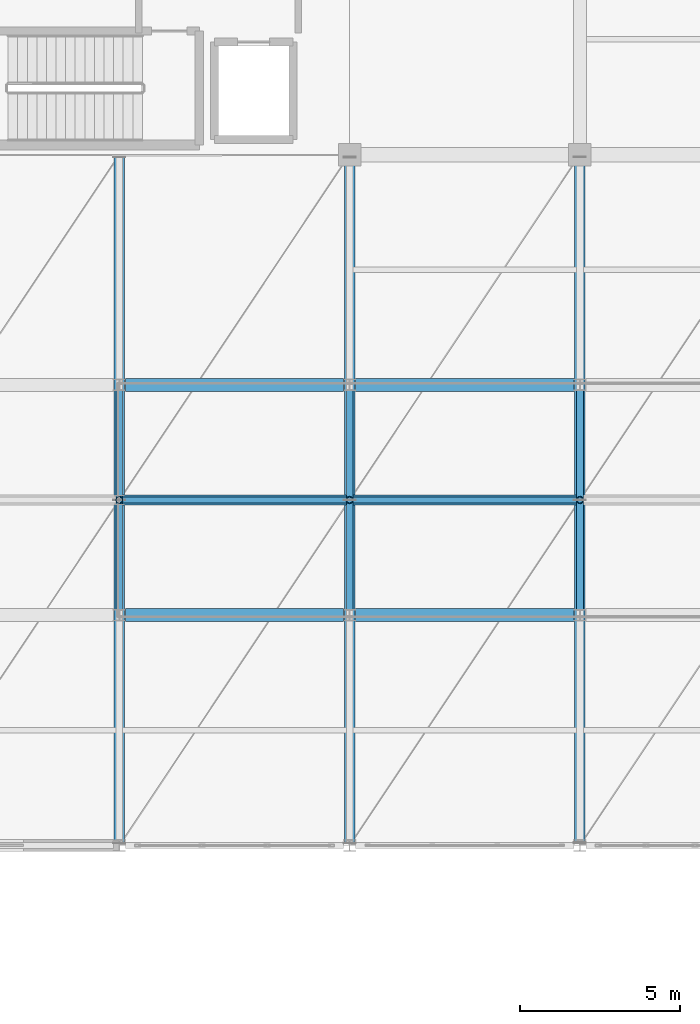
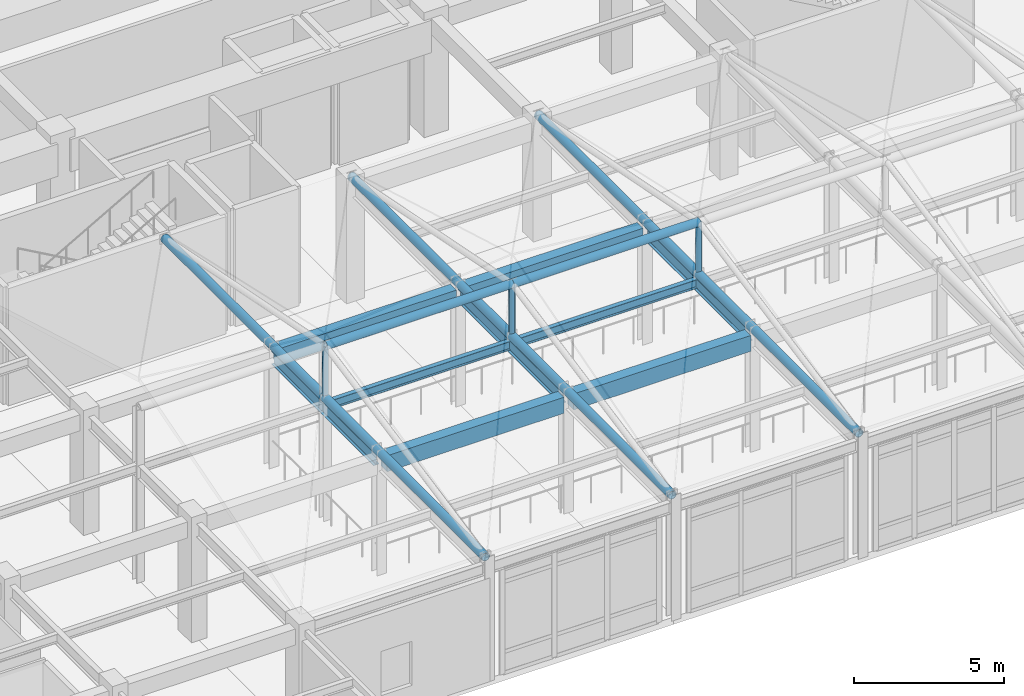
# One storey, part 37 of 117: 9 beams, 8 members.
"""IFC4 building model written with IfcOpenShell, lengths in metres."""

from ifc_helpers import new_model, si_unit, direction, frame, origin, origin_2d, place, context, subcontext, project, spatial, rectangle, hollow_circle, i_section, extrude, material, material_profile, profile_set, type_object, element, save


model = new_model("IFC4")

# Units and contexts
model_context = context("Model", 3, precision=1e-05, world=origin(), true_north=direction((0.0, 1.0)))
body_context = subcontext(model_context, "Body", "Model", "MODEL_VIEW")
ifc_project = project(units=[si_unit("LENGTHUNIT", "METRE"), si_unit("AREAUNIT", "SQUARE_METRE"), si_unit("VOLUMEUNIT", "CUBIC_METRE"), si_unit("PLANEANGLEUNIT", "RADIAN"), si_unit("MASSUNIT", "GRAM", prefix="KILO")], contexts=[model_context])

# Site, building, storey
site_placement = place(None, origin())
site = spatial("IfcSite", under=ifc_project, at=site_placement, CompositionType="ELEMENT")
building_placement = place(site_placement, origin())
building = spatial("IfcBuilding", under=site, at=building_placement, Name="Carrowvane Square Congress Hotel", CompositionType="ELEMENT")
storey_placement = place(building_placement, frame((0.0, 0.0, 5.39990234375)))
storey = spatial("IfcBuildingStorey", under=building, at=storey_placement, Name="L01", CompositionType="ELEMENT", Elevation=5.39990234375)

# Beams
ifc_material_1 = material(Name="Concrete C35/45", Category="concrete")
ifc_material_profile_1 = material_profile(ifc_material_1, rectangle(XDim=0.39990234375, YDim=0.64990234375, at=origin_2d()), Name="RC 400x650")
ifc_profile_set_1 = profile_set([ifc_material_profile_1], Name="Concrete C35/45")
beam_type_1 = type_object("IfcBeamType", Name="BM-RC-400x650", PredefinedType="BEAM", material=ifc_profile_set_1)
for number, where, z_axis, x_axis, name in (
    (1, (76.585205078125, 77.39990234375, 4.455078125), (1.0, 0.0, 0.0), (0.0, 1.0, 0.0), "L02 girder L/10-11"),
    (2, (83.78515625, 77.39990234375, 4.455078125), (1.0, 0.0, 0.0), (0.0, 1.0, 0.0), "L02 girder L/11-12"),
    (3, (76.585205078125, 84.60009765625, 4.455078125), (1.0, 0.0, 0.0), (0.0, 1.0, 0.0), "L02 girder M/10-11"),
    (4, (83.78515625, 84.60009765625, 4.455078125), (1.0, 0.0, 0.0), (0.0, 1.0, 0.0), "L02 girder M/11-12"),
):
    element("IfcBeam", number, at=place(storey_placement, frame(where, z_axis=z_axis, x_axis=x_axis)), inside=storey, type_object=beam_type_1, Name=name, PredefinedType="BEAM", context=body_context, shape_type="SweptSolid", body=[
        extrude(rectangle(XDim=0.39990234375, YDim=0.64990234375, at=origin_2d()), origin(), (0.0, 0.0, 1.0), 6.82958984375),
    ])
ifc_material_2 = material(Name="Steel S355", Category="steel")
ifc_material_profile_2 = material_profile(ifc_material_2, i_section(OverallWidth=0.172119140625, OverallDepth=0.35791015625, WebThickness=0.008056640625, FlangeThickness=0.012939453125, FilletRadius=0.01025390625, at=origin_2d()), Name="UKB 356x171x57")
ifc_profile_set_2 = profile_set([ifc_material_profile_2], Name="Steel S355")
beam_type_2 = type_object("IfcBeamType", Name="BM-ST-UKB356", PredefinedType="JOIST", material=ifc_profile_set_2)
beam_1_placement = place(storey_placement, frame((76.5048828125, 81.0, 4.60107421875), z_axis=(1.0, 0.0, 0.0), x_axis=(0.0, 1.0, 0.0)))
element("IfcBeam", 5, at=beam_1_placement, inside=storey, type_object=beam_type_2, Name="L02 secondary joist 10-11", PredefinedType="JOIST", context=body_context, shape_type="SweptSolid", body=[
    extrude(i_section(OverallWidth=0.172119140625, OverallDepth=0.35791015625, WebThickness=0.008056640625, FlangeThickness=0.012939453125, FilletRadius=0.01025390625, at=origin_2d()), origin(), (0.0, 0.0, 1.0), 6.990234375),
])
beam_2_placement = place(storey_placement, frame((83.705078125, 81.0, 4.60107421875), z_axis=(1.0, 0.0, 0.0), x_axis=(0.0, 1.0, 0.0)))
element("IfcBeam", 6, at=beam_2_placement, inside=storey, type_object=beam_type_2, Name="L02 secondary joist 11-12", PredefinedType="JOIST", context=body_context, shape_type="SweptSolid", body=[
    extrude(i_section(OverallWidth=0.172119140625, OverallDepth=0.35791015625, WebThickness=0.008056640625, FlangeThickness=0.012939453125, FilletRadius=0.01025390625, at=origin_2d()), origin(), (0.0, 0.0, 1.0), 6.989990234375),
])
ifc_material_3 = material(Name="Steel S355", Category="steel")
ifc_material_profile_3 = material_profile(ifc_material_3, i_section(OverallWidth=0.2099609375, OverallDepth=0.53662109375, WebThickness=0.0107421875, FlangeThickness=0.017333984375, FilletRadius=0.0126953125, at=origin_2d()), Name="UKB 533x210x101")
ifc_profile_set_3 = profile_set([ifc_material_profile_3], Name="Steel S355")
beam_type_3 = type_object("IfcBeamType", Name="BM-ST-UKB533", PredefinedType="USERDEFINED", material=ifc_profile_set_3)
for number, where, z_axis, x_axis, name in (
    (7, (76.39990234375, 77.5810546875, 4.51171875), (0.0, 1.0, 0.0), (-1.0, 0.0, 0.0), "L02 girder 10/L-M"),
    (8, (83.60009765625, 77.5810546875, 4.51171875), (0.0, 1.0, 0.0), (-1.0, 0.0, 0.0), "L02 girder 11/L-M"),
    (9, (90.800048828125, 77.5810546875, 4.51171875), (0.0, 1.0, 0.0), (-1.0, 0.0, 0.0), "L02 girder 12/L-M"),
):
    element("IfcBeam", number, at=place(storey_placement, frame(where, z_axis=z_axis, x_axis=x_axis)), inside=storey, type_object=beam_type_3, Name=name, ObjectType="GIRDER", PredefinedType="USERDEFINED", context=body_context, shape_type="SweptSolid", body=[
        extrude(i_section(OverallWidth=0.2099609375, OverallDepth=0.53662109375, WebThickness=0.0107421875, FlangeThickness=0.017333984375, FilletRadius=0.0126953125, at=origin_2d()), origin(), (0.0, 0.0, 1.0), 6.837890625),
    ])

# Members
ifc_material_4 = material(Name="Steel S355", Category="steel")
ifc_material_profile_4 = material_profile(ifc_material_4, hollow_circle(Radius=0.109619140625, WallThickness=0.012451171875, at=origin_2d()), Name="CHS 219.1x12.5")
ifc_profile_set_4 = profile_set([ifc_material_profile_4], Name="Steel S355")
member_type_1 = type_object("IfcMemberType", Name="MEM-ST-CHS219", PredefinedType="STRUT", material=ifc_profile_set_4)
for number, where, z_axis, x_axis, name in (
    (10, (76.39990234375, 81.0, 4.920166015625), (0.0, 0.0, 1.0), (1.0, 0.0, 0.0), "Public passage canopy king post 1"),
    (11, (83.60009765625, 81.0, 4.920166015625), (0.0, 0.0, 1.0), (1.0, 0.0, 0.0), "Public passage canopy king post 2"),
    (12, (90.800048828125, 81.0, 4.920166015625), (0.0, 0.0, 1.0), (1.0, 0.0, 0.0), "Public passage canopy king post 3"),
):
    element("IfcMember", number, at=place(storey_placement, frame(where, z_axis=z_axis, x_axis=x_axis)), inside=storey, type_object=member_type_1, Name=name, PredefinedType="STRUT", context=body_context, shape_type="SweptSolid", body=[
        extrude(hollow_circle(Radius=0.109619140625, WallThickness=0.012451171875, at=origin_2d()), origin(), (0.0, 0.0, 1.0), 2.12548828125),
    ])
ifc_material_5 = material(Name="Steel S355", Category="steel")
ifc_material_profile_5 = material_profile(ifc_material_5, hollow_circle(Radius=0.161865234375, WallThickness=0.01611328125, at=origin_2d()), Name="CHS 323.9x16")
ifc_profile_set_5 = profile_set([ifc_material_profile_5], Name="Steel S355")
member_type_2 = type_object("IfcMemberType", Name="MEM-TC-CHS324", PredefinedType="CHORD", material=ifc_profile_set_5)
member_1_placement = place(storey_placement, frame((76.39990234375, 81.0, 7.045654296875), z_axis=(1.0, 0.0, 0.0), x_axis=(0.0, 1.0, 0.0)))
element("IfcMember", 13, at=member_1_placement, inside=storey, type_object=member_type_2, Name="Public passage ridge chord 2", PredefinedType="CHORD", context=body_context, shape_type="SweptSolid", body=[
    extrude(hollow_circle(Radius=0.161865234375, WallThickness=0.01611328125, at=origin_2d()), origin(), (0.0, 0.0, 1.0), 7.2001953125),
])
member_2_placement = place(storey_placement, frame((83.60009765625, 81.0, 7.045654296875), z_axis=(1.0, 0.0, 0.0), x_axis=(0.0, 1.0, 0.0)))
element("IfcMember", 14, at=member_2_placement, inside=storey, type_object=member_type_2, Name="Public passage ridge chord 3", PredefinedType="CHORD", context=body_context, shape_type="SweptSolid", body=[
    extrude(hollow_circle(Radius=0.161865234375, WallThickness=0.01611328125, at=origin_2d()), origin(), (0.0, 0.0, 1.0), 7.199951171875),
])
for number, where, z_axis, x_axis, name in (
    (15, (76.39990234375, 70.280029296875, 4.920166015625), (0.0, 1.0, 0.0), (-1.0, 0.0, 0.0), "Public passage canopy tie chord 1"),
    (16, (83.60009765625, 70.280029296875, 4.920166015625), (0.0, 1.0, 0.0), (-1.0, 0.0, 0.0), "Public passage canopy tie chord 2"),
    (17, (90.800048828125, 70.280029296875, 4.920166015625), (0.0, 1.0, 0.0), (-1.0, 0.0, 0.0), "Public passage canopy tie chord 3"),
):
    element("IfcMember", number, at=place(storey_placement, frame(where, z_axis=z_axis, x_axis=x_axis)), inside=storey, type_object=member_type_2, Name=name, PredefinedType="CHORD", context=body_context, shape_type="SweptSolid", body=[
        extrude(hollow_circle(Radius=0.161865234375, WallThickness=0.01611328125, at=origin_2d()), origin(), (0.0, 0.0, 1.0), 21.43994140625),
    ])

save(model, "model.ifc")
